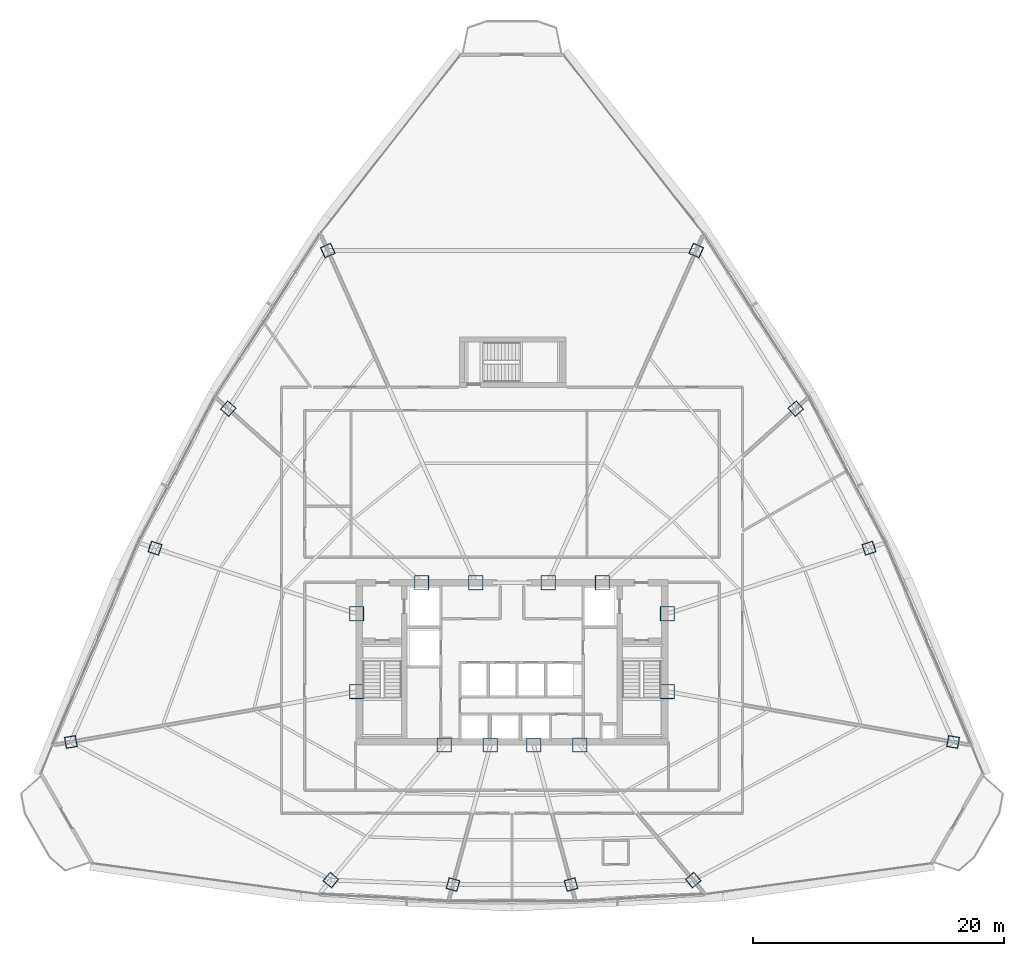
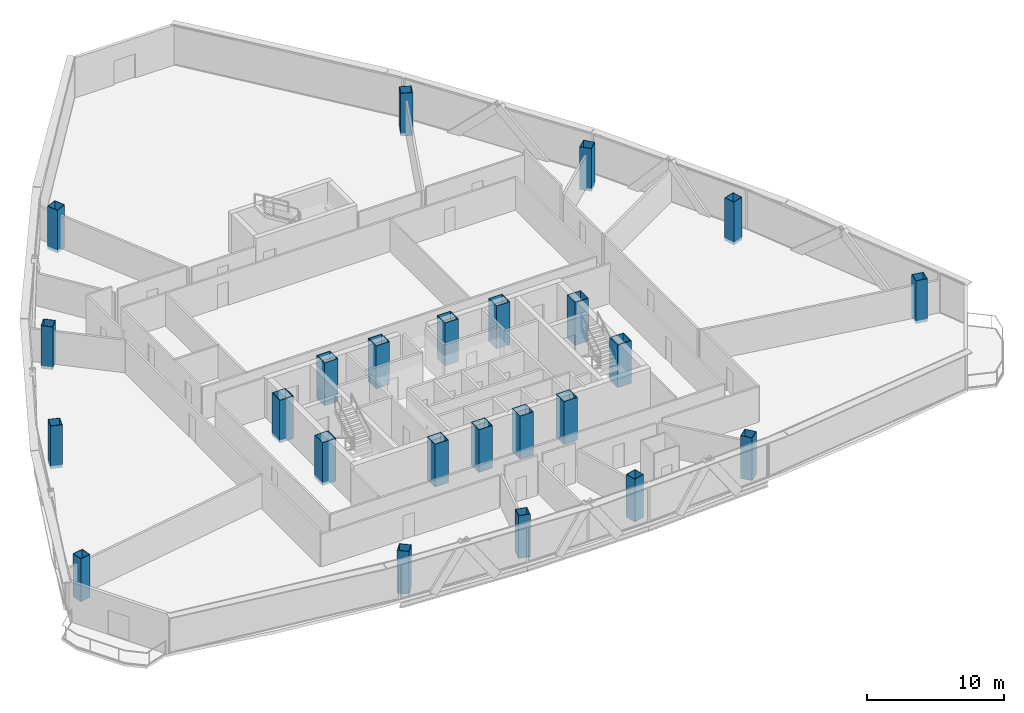
# One storey, part 1 of 36: 24 columns.
"""IFC4 building model written with IfcOpenShell, lengths in metres."""

from ifc_helpers import new_model, si_unit, direction, frame, origin, origin_2d, place, context, subcontext, project, spatial, hollow_rectangle, extrude, source, transform, mapped, material, material_profile, profile_set, type_object, element, save


model = new_model("IFC4")

# Units and contexts
model_context = context("Model", 3, precision=1e-05, world=origin(), true_north=direction((0.0, 1.0)))
body_context = subcontext(model_context, "Body", "Model", "MODEL_VIEW")
ifc_project = project(units=[si_unit("LENGTHUNIT", "METRE"), si_unit("AREAUNIT", "SQUARE_METRE"), si_unit("VOLUMEUNIT", "CUBIC_METRE"), si_unit("PLANEANGLEUNIT", "RADIAN"), si_unit("MASSUNIT", "GRAM", prefix="KILO"), si_unit("THERMODYNAMICTEMPERATUREUNIT", "KELVIN"), si_unit("POWERUNIT", "WATT")], contexts=[model_context])

# Site, building, storey
site_placement = place(None, origin())
site = spatial("IfcSite", under=ifc_project, at=site_placement, CompositionType="ELEMENT")
building_placement = place(site_placement, origin())
building = spatial("IfcBuilding", under=site, at=building_placement, Name="Yunzhuo Pagoda Commons", CompositionType="ELEMENT")
storey_placement = place(building_placement, frame((0.0, 0.0, 211.360107421875)))
storey = spatial("IfcBuildingStorey", under=building, at=storey_placement, Name="L53", CompositionType="ELEMENT", Elevation=211.360107421875)

# Columns
ifc_material = material(Name="Structural steel Q420B", Category="steel")
ifc_material_profile_1 = material_profile(ifc_material, hollow_rectangle(XDim=1.14990234375, YDim=1.14990234375, WallThickness=0.048095703125, at=origin_2d()), Name="Structural steel Q420B")
ifc_profile_set_1 = profile_set([ifc_material_profile_1], Name="Structural steel Q420B")
column_type_1 = type_object("IfcColumnType", Name="C-COR Column BOX 1150x1150x48", PredefinedType="COLUMN", material=ifc_profile_set_1)
shared_shape_1 = source(origin(), body_context, "Body", "SweptSolid", [
    extrude(hollow_rectangle(XDim=1.14990234375, YDim=1.14990234375, WallThickness=0.048095703125, at=origin_2d()), origin(), (0.0, 0.0, 1.0), 3.7998046875),
])
for number, where, z_axis, x_axis, name in (
    (1, (42.587890625, 27.25, -0.260009765625), (0.0, 0.0, 1.0), (1.0, 0.0, 0.0), "L53 core composite column F1C1"),
    (2, (46.27197265625, 27.25, -0.260009765625), (0.0, 0.0, 1.0), (1.0, 0.0, 0.0), "L53 core composite column F1C2"),
    (3, (49.728515625, 27.25, -0.260009765625), (0.0, 0.0, 1.0), (1.0, 0.0, 0.0), "L53 core composite column F1C3"),
    (4, (53.412109375, 27.25, -0.260009765625), (0.0, 0.0, 1.0), (1.0, 0.0, 0.0), "L53 core composite column F1C4"),
    (5, (60.39990234375, 31.513427734375, -0.260009765625), (0.0, 0.0, 1.0), (1.0, 0.0, 0.0), "L53 core composite column F2C1"),
    (6, (60.39990234375, 37.72900390625, -0.260009765625), (0.0, 0.0, 1.0), (1.0, 0.0, 0.0), "L53 core composite column F2C2"),
    (7, (55.218994140625, 40.199951171875, -0.260009765625), (0.0, 0.0, 1.0), (1.0, 0.0, 0.0), "L53 core composite column F2C3"),
    (8, (50.89404296875, 40.199951171875, -0.260009765625), (0.0, 0.0, 1.0), (1.0, 0.0, 0.0), "L53 core composite column F2C4"),
    (9, (45.10595703125, 40.199951171875, -0.260009765625), (0.0, 0.0, 1.0), (1.0, 0.0, 0.0), "L53 core composite column F3C1"),
    (10, (40.781005859375, 40.199951171875, -0.260009765625), (0.0, 0.0, 1.0), (1.0, 0.0, 0.0), "L53 core composite column F3C2"),
    (11, (35.60009765625, 37.72900390625, -0.260009765625), (0.0, 0.0, 1.0), (1.0, 0.0, 0.0), "L53 core composite column F3C3"),
    (12, (35.60009765625, 31.513427734375, -0.260009765625), (0.0, 0.0, 1.0), (1.0, 0.0, 0.0), "L53 core composite column F3C4"),
):
    element("IfcColumn", number, at=place(storey_placement, frame(where, z_axis=z_axis, x_axis=x_axis)), inside=storey, type_object=column_type_1, Name=name, PredefinedType="COLUMN", context=body_context, shape_type="MappedRepresentation", body=[
        mapped(shared_shape_1, transform((0.0, 0.0, 0.0), scale=1.0)),
    ])
ifc_material_profile_2 = material_profile(ifc_material, hollow_rectangle(XDim=0.89990234375, YDim=0.89990234375, WallThickness=0.035888671875, at=origin_2d()), Name="Structural steel Q420B")
ifc_profile_set_2 = profile_set([ifc_material_profile_2], Name="Structural steel Q420B")
column_type_2 = type_object("IfcColumnType", Name="C-Z4 Column BOX 900x900x36", PredefinedType="COLUMN", material=ifc_profile_set_2)
shared_shape_2 = source(origin(), body_context, "Body", "SweptSolid", [
    extrude(hollow_rectangle(XDim=0.89990234375, YDim=0.89990234375, WallThickness=0.035888671875, at=origin_2d()), origin(), (0.0, 0.0, 1.0), 3.7998046875),
])
for number, where, z_axis, x_axis, name in (
    (13, (33.538818359375, 16.4658203125, -0.260009765625), (0.0, 0.0, 1.0), (0.766044443119, -0.642787609687, 0.0), "L53 tower column F1C1"),
    (14, (43.28759765625, 16.1123046875, -0.260009765625), (0.0, 0.0, 1.0), (0.965925826289, -0.258819045103, 0.0), "L53 tower column F1C2"),
    (15, (52.712890625, 16.1123046875, -0.260009765625), (0.0, 0.0, 1.0), (0.965925826289, 0.258819045103, 0.0), "L53 tower column F1C3"),
    (16, (62.461181640625, 16.4658203125, -0.260009765625), (0.0, 0.0, 1.0), (0.766044443119, 0.642787609687, 0.0), "L53 tower column F1C4"),
    (17, (83.20654296875, 27.492431640625, -0.260009765625), (0.0, 0.0, 1.0), (0.173648177667, 0.984807753012, 0.0), "L53 tower column F2C1"),
    (18, (76.49462890625, 42.95849609375, -0.260009765625), (0.0, 0.0, 1.0), (-0.309016994375, 0.951056516295, 0.0), "L53 tower column F2C2"),
    (19, (70.650634765625, 54.0947265625, -0.260009765625), (0.0, 0.0, 1.0), (-0.669130606359, 0.743144825477, 0.0), "L53 tower column F2C3"),
    (20, (62.698974609375, 66.714599609375, -0.260009765625), (0.0, 0.0, 1.0), (-0.913545457643, 0.406736643076, 0.0), "L53 tower column F2C4"),
    (21, (33.301025390625, 66.714599609375, -0.260009765625), (0.0, 0.0, 1.0), (-0.913545457643, -0.406736643076, 0.0), "L53 tower column F3C1"),
    (22, (25.349365234375, 54.0947265625, -0.260009765625), (0.0, 0.0, 1.0), (-0.669130606359, -0.743144825477, 0.0), "L53 tower column F3C2"),
    (23, (19.50537109375, 42.95849609375, -0.260009765625), (0.0, 0.0, 1.0), (-0.309016994375, -0.951056516295, 0.0), "L53 tower column F3C3"),
    (24, (12.79345703125, 27.492431640625, -0.260009765625), (0.0, 0.0, 1.0), (0.173648177667, -0.984807753012, 0.0), "L53 tower column F3C4"),
):
    element("IfcColumn", number, at=place(storey_placement, frame(where, z_axis=z_axis, x_axis=x_axis)), inside=storey, type_object=column_type_2, Name=name, PredefinedType="COLUMN", context=body_context, shape_type="MappedRepresentation", body=[
        mapped(shared_shape_2, transform((0.0, 0.0, 0.0), scale=1.0)),
    ])

save(model, "model.ifc")
